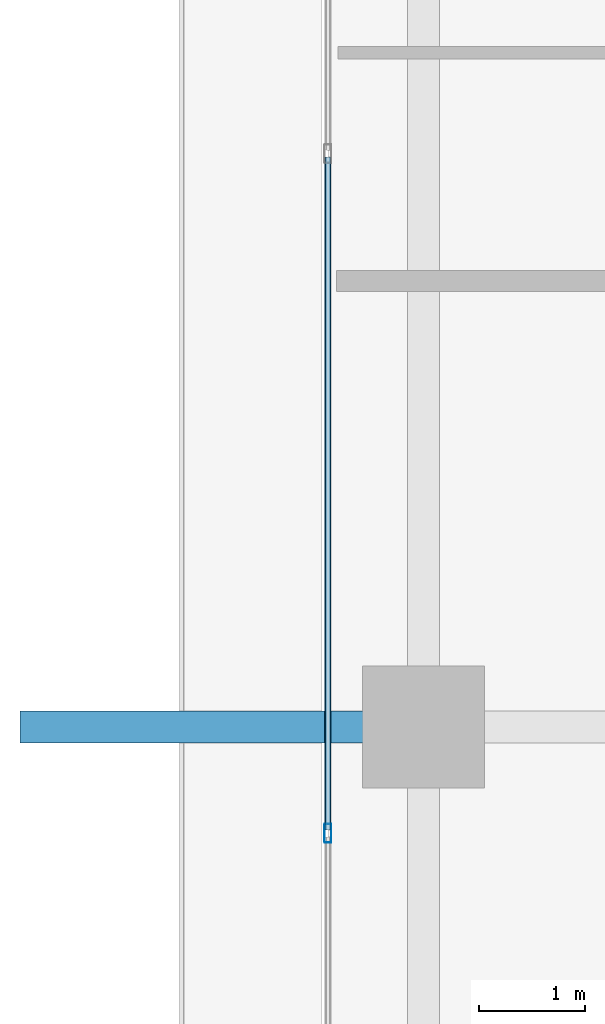
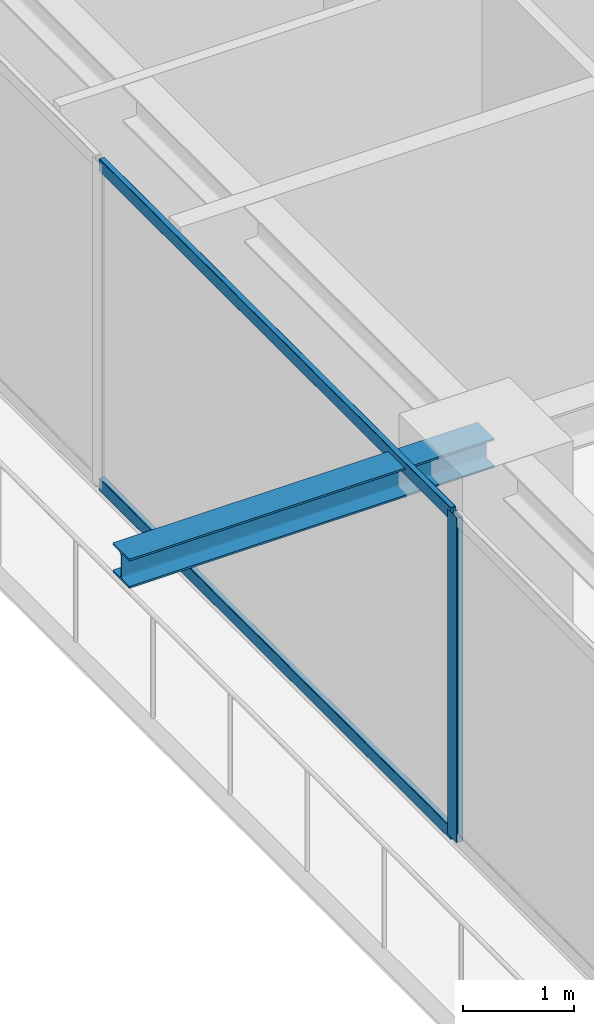
# One storey, part 9 of 37: 3 members, 1 beam, 1 element without a shape of its own.
"""IFC4 building model written with IfcOpenShell, lengths in metres."""

import ifcopenshell
import ifcopenshell.guid

model = None  # the IFC model being written
_history = None  # IfcOwnerHistory: only IFC2X3 demands one
_inside = {}  # id of a spatial element -> (the spatial element, [elements in it])
_under = {}  # id of a project, library or spatial element -> (it, [spatial elements below it])
_declared = {}  # id of a project -> (the project, [libraries it declares])
_typed = {}  # id of a type object -> (the type object, [elements of that type])
_made_of = {}  # id of a material, layer set ... -> (it, [elements and type objects made of it])


def new_model(schema):
    """Start an empty IFC model of exactly this schema.

    Asked for "IFC4X3", IfcOpenShell would pick the latest addendum, in which some entities
    have other attributes; the version numbers below select the first issue.
    IFC2X3 requires an IfcOwnerHistory on every rooted entity: one is made here for all.
    """
    global model, _history
    if schema == "IFC4X3":
        model = ifcopenshell.file(schema_version=(4, 3, 0, 0))
    else:
        model = ifcopenshell.file(schema=schema)
    _inside.clear()
    _under.clear()
    _declared.clear()
    _typed.clear()
    _made_of.clear()
    _history = None
    if model.schema == "IFC2X3":
        org = make("IfcOrganization", Name="unknown")
        user = make(
            "IfcPersonAndOrganization",
            ThePerson=make("IfcPerson", FamilyName="unknown"),
            TheOrganization=org,
        )
        app = make(
            "IfcApplication",
            ApplicationDeveloper=org,
            Version="unknown",
            ApplicationFullName="unknown",
            ApplicationIdentifier="unknown",
        )
        _history = make(
            "IfcOwnerHistory",
            OwningUser=user,
            OwningApplication=app,
            ChangeAction="ADDED",
            CreationDate=0,
        )
    return model


def make(cls, **values):
    """One entity of the class cls with the attributes given. An attribute that is None is left unset."""
    return model.create_entity(
        cls, **{name: value for name, value in values.items() if value is not None}
    )


def rooted(cls, **values):
    """An entity with a GlobalId (a new one), such as an element, a storey or a relation."""
    return make(cls, GlobalId=ifcopenshell.guid.new(), OwnerHistory=_history, **values)


def si_unit(unit_type, name, prefix=None):
    """IfcSIUnit, for example si_unit("LENGTHUNIT", "METRE", prefix="MILLI")."""
    return make("IfcSIUnit", UnitType=unit_type, Prefix=prefix, Name=name)


def assignment(units):
    """IfcUnitAssignment: the units of a project."""
    return None if units is None else make("IfcUnitAssignment", Units=units)


def point(xyz):
    """IfcCartesianPoint."""
    return None if xyz is None else make("IfcCartesianPoint", Coordinates=xyz)


def direction(xyz):
    """IfcDirection."""
    return None if xyz is None else make("IfcDirection", DirectionRatios=xyz)


def frame(location, z_axis=None, x_axis=None):
    """IfcAxis2Placement3D, a coordinate frame: its origin and axes. An axis left out is left unset."""
    return make(
        "IfcAxis2Placement3D",
        Location=point(location),
        Axis=direction(z_axis),
        RefDirection=direction(x_axis),
    )


def frame_2d(location, x_axis=None):
    """IfcAxis2Placement2D, a coordinate frame in the plane: its origin and x axis."""
    return make(
        "IfcAxis2Placement2D", Location=point(location), RefDirection=direction(x_axis)
    )


def origin():
    """The frame at (0, 0, 0) with its axes left unset."""
    return frame((0.0, 0.0, 0.0))


def origin_2d():
    """The frame at (0, 0) in the plane with its x axis left unset."""
    return frame_2d((0.0, 0.0))


def place(relative_to, where):
    """IfcLocalPlacement: puts the frame where relative to a parent placement (None: the world)."""
    return make(
        "IfcLocalPlacement", PlacementRelTo=relative_to, RelativePlacement=where
    )


def context(
    kind, dimensions, precision=None, world=None, true_north=None, identifier=None
):
    """IfcGeometricRepresentationContext, for example the 3D "Model" context."""
    return make(
        "IfcGeometricRepresentationContext",
        ContextIdentifier=identifier,
        ContextType=kind,
        CoordinateSpaceDimension=dimensions,
        Precision=precision,
        WorldCoordinateSystem=world,
        TrueNorth=true_north,
    )


def subcontext(parent, identifier, kind, view, scale=None):
    """IfcGeometricRepresentationSubContext, for example "Body" below "Model"."""
    return make(
        "IfcGeometricRepresentationSubContext",
        ContextIdentifier=identifier,
        ContextType=kind,
        ParentContext=parent,
        TargetScale=scale,
        TargetView=view,
    )


def project(units=None, contexts=None):
    """IfcProject with its units and contexts."""
    return rooted(
        "IfcProject",
        Name="project",
        RepresentationContexts=contexts,
        UnitsInContext=assignment(units),
    )


def spatial(cls, under=None, at=None, **own):
    """A site, building, storey or space (cls), placed at a placement, below another one or the project."""
    s = rooted(cls, ObjectPlacement=at, **own)
    if under is not None:
        _under.setdefault(under.id(), (under, []))[1].append(s)
    return s


def profile(cls, at=None, kind="AREA", **sizes):
    """A parametric profile (cls). Its sizes go by their IFC names, for example OverallWidth=200.0."""
    return make(cls, ProfileType=kind, Position=at, **sizes)


def hollow_rectangle(**sizes):
    """IfcRectangleHollowProfileDef."""
    return profile("IfcRectangleHollowProfileDef", **sizes)


def i_section(**sizes):
    """IfcIShapeProfileDef."""
    return profile("IfcIShapeProfileDef", **sizes)


def extrude(swept, where, along, depth):
    """IfcExtrudedAreaSolid: the profile swept, set in the frame where, extruded along a direction by depth."""
    return make(
        "IfcExtrudedAreaSolid",
        SweptArea=swept,
        Position=where,
        ExtrudedDirection=direction(along),
        Depth=depth,
    )


def shape(context_of_items, identifier, shape_type, items):
    """IfcShapeRepresentation: the items that make up one representation, for example the "Body"."""
    return make(
        "IfcShapeRepresentation",
        ContextOfItems=context_of_items,
        RepresentationIdentifier=identifier,
        RepresentationType=shape_type,
        Items=items,
    )


def source(mapping_origin, context_of_items, identifier, shape_type, items):
    """IfcRepresentationMap: a shape defined once, which mapped items show again and again."""
    return make(
        "IfcRepresentationMap",
        MappingOrigin=mapping_origin,
        MappedRepresentation=shape(context_of_items, identifier, shape_type, items),
    )


def transform(
    local_origin,
    x_axis=None,
    y_axis=None,
    z_axis=None,
    scale=None,
    scale2=None,
    scale3=None,
    uniform=True,
):
    """IfcCartesianTransformationOperator3D, or its non-uniform kind. x_axis, y_axis, z_axis: its Axis1, 2, 3."""
    if uniform:
        return make(
            "IfcCartesianTransformationOperator3D",
            Axis1=direction(x_axis),
            Axis2=direction(y_axis),
            LocalOrigin=point(local_origin),
            Scale=scale,
            Axis3=direction(z_axis),
        )
    return make(
        "IfcCartesianTransformationOperator3DnonUniform",
        Axis1=direction(x_axis),
        Axis2=direction(y_axis),
        LocalOrigin=point(local_origin),
        Scale=scale,
        Axis3=direction(z_axis),
        Scale2=scale2,
        Scale3=scale3,
    )


def mapped(mapping_source, mapping_target):
    """IfcMappedItem: shows the shape of a source again, moved by a transform."""
    return make(
        "IfcMappedItem", MappingSource=mapping_source, MappingTarget=mapping_target
    )


def material(Name=None, Category=None):
    """IfcMaterial."""
    return make("IfcMaterial", Name=Name, Category=Category)


def layer(
    of_material, thickness, ventilated=None, Name=None, Category=None, Priority=None
):
    """IfcMaterialLayer: one layer of a wall or slab, of a material (None: an air gap)."""
    return make(
        "IfcMaterialLayer",
        Material=of_material,
        LayerThickness=thickness,
        IsVentilated=ventilated,
        Name=Name,
        Category=Category,
        Priority=Priority,
    )


def layer_set(layers, Name=None):
    """IfcMaterialLayerSet."""
    return make("IfcMaterialLayerSet", MaterialLayers=layers, LayerSetName=Name)


def material_profile(
    of_material, cross_section, Name=None, Category=None, Priority=None
):
    """IfcMaterialProfile: a cross section and its material."""
    return make(
        "IfcMaterialProfile",
        Name=Name,
        Material=of_material,
        Profile=cross_section,
        Priority=Priority,
        Category=Category,
    )


def profile_set(profiles, Name=None, composite=None):
    """IfcMaterialProfileSet."""
    return make(
        "IfcMaterialProfileSet",
        Name=Name,
        MaterialProfiles=profiles,
        CompositeProfile=composite,
    )


def made_of(thing, what):
    """Note that an element or type object is made of a material, layer set ...; save() writes the relation."""
    if what is not None:
        _made_of.setdefault(what.id(), (what, []))[1].append(thing)
    return thing


def type_object(cls, material=None, **own):
    """A type object (cls), such as IfcWallType, which elements share."""
    return made_of(rooted(cls, **own), material)


def element(
    cls,
    number,
    at=None,
    inside=None,
    cuts=None,
    type_object=None,
    material=None,
    context=None,
    identifier="Body",
    shape_type=None,
    held_by="IfcProductDefinitionShape",
    body=None,
    shapes=None,
    **own,
):
    """One element of the class cls, such as IfcWall. Its Tag is "e" and its number.

    at: its placement. inside: the storey or other place that contains it. cuts: it is an
    opening in that element (IfcRelVoidsElement). A single representation is given by context,
    identifier, shape_type and body (its items); several are given by shapes. held_by: the class
    of the entity that holds the representations. save() writes the other relations.
    """
    e = rooted(cls, Tag="e%d" % number, ObjectPlacement=at, **own)
    if body is not None:
        shapes = [shape(context, identifier, shape_type, body)]
    if shapes is not None:
        e.Representation = make(held_by, Representations=shapes)
    if inside is not None:
        _inside.setdefault(inside.id(), (inside, []))[1].append(e)
    if cuts is not None:
        rooted(
            "IfcRelVoidsElement", RelatingBuildingElement=cuts, RelatedOpeningElement=e
        )
    if type_object is not None:
        _typed.setdefault(type_object.id(), (type_object, []))[1].append(e)
    return made_of(e, material)


def aggregate(whole, parts):
    """IfcRelAggregates: a whole, such as a stair, and the parts it consists of."""
    return rooted("IfcRelAggregates", RelatingObject=whole, RelatedObjects=parts)


def save(model, path):
    """Write the relations noted so far, then the file.

    IfcRelAggregates (storeys below a building ...), IfcRelContainedInSpatialStructure (elements
    in a storey), IfcRelDefinesByType, IfcRelAssociatesMaterial and IfcRelDeclares: one each for
    every whole, place, type object, material and project.
    """
    for whole, parts in _under.values():
        aggregate(whole, parts)
    for where, things in _inside.values():
        rooted(
            "IfcRelContainedInSpatialStructure",
            RelatedElements=things,
            RelatingStructure=where,
        )
    for kind, things in _typed.values():
        rooted("IfcRelDefinesByType", RelatedObjects=things, RelatingType=kind)
    for what, things in _made_of.values():
        rooted("IfcRelAssociatesMaterial", RelatedObjects=things, RelatingMaterial=what)
    for by, libraries in _declared.values():
        rooted("IfcRelDeclares", RelatingContext=by, RelatedDefinitions=libraries)
    model.write(path)


model = new_model("IFC4")

# Units and contexts
model_context = context("Model", 3, precision=1e-05, world=origin(), true_north=direction((0.0, 1.0)))
body_context = subcontext(model_context, "Body", "Model", "MODEL_VIEW")
ifc_project = project(units=[si_unit("LENGTHUNIT", "METRE"), si_unit("AREAUNIT", "SQUARE_METRE"), si_unit("VOLUMEUNIT", "CUBIC_METRE"), si_unit("PLANEANGLEUNIT", "RADIAN"), si_unit("MASSUNIT", "GRAM", prefix="KILO")], contexts=[model_context])

# Site, building, storey
site_placement = place(None, origin())
site = spatial("IfcSite", under=ifc_project, at=site_placement, CompositionType="ELEMENT")
building_placement = place(site_placement, origin())
building = spatial("IfcBuilding", under=site, at=building_placement, Name="Serunith Strait Residences", CompositionType="ELEMENT")
storey_placement = place(building_placement, frame((0.0, 0.0, 248.949951171875)))
storey = spatial("IfcBuildingStorey", under=building, at=storey_placement, Name="L62", CompositionType="ELEMENT", Elevation=248.949951171875)

# Beam
ifc_material_1 = material(Name="Steel S355J2", Category="steel")
ifc_material_profile_1 = material_profile(ifc_material_1, i_section(OverallWidth=0.300048828125, OverallDepth=0.320068359375, WebThickness=0.011474609375, FlangeThickness=0.0205078125, FilletRadius=0.027099609375, at=origin_2d()), Name="HEB 320")
ifc_profile_set_1 = profile_set([ifc_material_profile_1], Name="Steel S355J2")
beam_type = type_object("IfcBeamType", Name="BM-HEB320", PredefinedType="BEAM", material=ifc_profile_set_1)
shared_shape_1 = source(origin(), body_context, "Body", "SweptSolid", [
    extrude(i_section(OverallWidth=0.300048828125, OverallDepth=0.320068359375, WebThickness=0.011474609375, FlangeThickness=0.0205078125, FilletRadius=0.027099609375, at=origin_2d()), origin(), (0.0, 0.0, 1.0), 3.800048828125),
])
beam_placement = place(storey_placement, frame((8.300048828125, 29.39990234375, 3.39697265625), z_axis=(-1.0, 0.0, 0.0), x_axis=(0.0, -1.0, 0.0)))
element("IfcBeam", 1, at=beam_placement, inside=storey, type_object=beam_type, Name="L63 Cantilevered Balcony Rib TC-W3", PredefinedType="BEAM", context=body_context, shape_type="MappedRepresentation", body=[
    mapped(shared_shape_1, transform((0.0, 0.0, 0.0), scale=1.0)),
])

# Curtain wall, members
ifc_material_2 = material(Name="Pale-Champagne Anodised Aluminium", Category="aluminium")
ifc_layer = layer(ifc_material_2, 0.199951171875, Name="Pale-Champagne Anodised Aluminium")
ifc_layer_set = layer_set([ifc_layer], Name="Pale-Champagne Anodised Aluminium")
curtain_wall_type = type_object("IfcCurtainWallType", Name="CW-SYS4", PredefinedType="NOTDEFINED", material=ifc_layer_set)
curtain_wall_placement = place(storey_placement, origin())
curtain_wall = element("IfcCurtainWall", 2, at=curtain_wall_placement, inside=storey, type_object=curtain_wall_type, Name="L62 W Unitised Fritted Curtain Wall", PredefinedType="NOTDEFINED")
ifc_material_profile_2 = material_profile(ifc_material_2, hollow_rectangle(XDim=0.06494140625, YDim=0.179931640625, WallThickness=0.00341796875, InnerFilletRadius=0.00537109375, OuterFilletRadius=0.0087890625, at=origin_2d()), Name="ALU 180x65x3.5")
ifc_profile_set_2 = profile_set([ifc_material_profile_2], Name="Pale-Champagne Anodised Aluminium")
member_type_1 = type_object("IfcMemberType", Name="CW-SYS4-MULL", PredefinedType="MULLION", material=ifc_profile_set_2)
shared_shape_2 = source(origin(), body_context, "Body", "SweptSolid", [
    extrude(hollow_rectangle(XDim=0.06494140625, YDim=0.179931640625, WallThickness=0.00341796875, InnerFilletRadius=0.00537109375, OuterFilletRadius=0.0087890625, at=origin_2d()), origin(), (0.0, 0.0, 1.0), 3.574951171875),
])
member_1_placement = place(storey_placement, frame((7.39990234375, 28.39990234375, 0.0), z_axis=(0.0, 0.0, 1.0), x_axis=(1.0, 0.0, 0.0)))
member_1 = element("IfcMember", 3, at=member_1_placement, type_object=member_type_1, Name="CW-4 mullion 3", PredefinedType="MULLION", context=body_context, shape_type="MappedRepresentation", body=[
    mapped(shared_shape_2, transform((0.0, 0.0, 0.0), scale=1.0)),
])
ifc_material_profile_3 = material_profile(ifc_material_2, hollow_rectangle(XDim=0.06005859375, YDim=0.139892578125, WallThickness=0.00341796875, InnerFilletRadius=0.00537109375, OuterFilletRadius=0.0087890625, at=origin_2d()), Name="ALU 140x60x3.5")
ifc_profile_set_3 = profile_set([ifc_material_profile_3], Name="Pale-Champagne Anodised Aluminium")
member_type_2 = type_object("IfcMemberType", Name="CW-SYS4-TRAN", PredefinedType="USERDEFINED", material=ifc_profile_set_3)
shared_shape_3 = source(origin(), body_context, "Body", "SweptSolid", [
    extrude(hollow_rectangle(XDim=0.06005859375, YDim=0.139892578125, WallThickness=0.00341796875, InnerFilletRadius=0.00537109375, OuterFilletRadius=0.0087890625, at=origin_2d()), origin(), (0.0, 0.0, 1.0), 6.3349609375),
])
member_2_placement = place(storey_placement, frame((7.39990234375, 34.767578125, 0.030029296875), z_axis=(0.0, -1.0, 0.0), x_axis=(1.0, 0.0, 0.0)))
member_2 = element("IfcMember", 4, at=member_2_placement, type_object=member_type_2, Name="CW-4 transom 2.1", ObjectType="TRANSOM", PredefinedType="USERDEFINED", context=body_context, shape_type="MappedRepresentation", body=[
    mapped(shared_shape_3, transform((0.0, 0.0, 0.0), scale=1.0)),
])
member_3_placement = place(storey_placement, frame((7.39990234375, 34.767578125, 3.545166015625), z_axis=(0.0, -1.0, 0.0), x_axis=(1.0, 0.0, 0.0)))
member_3 = element("IfcMember", 5, at=member_3_placement, type_object=member_type_2, Name="CW-4 transom 2.2", ObjectType="TRANSOM", PredefinedType="USERDEFINED", context=body_context, shape_type="MappedRepresentation", body=[
    mapped(shared_shape_3, transform((0.0, 0.0, 0.0), scale=1.0)),
])
aggregate(curtain_wall, [member_1, member_2, member_3])

save(model, "model.ifc")
